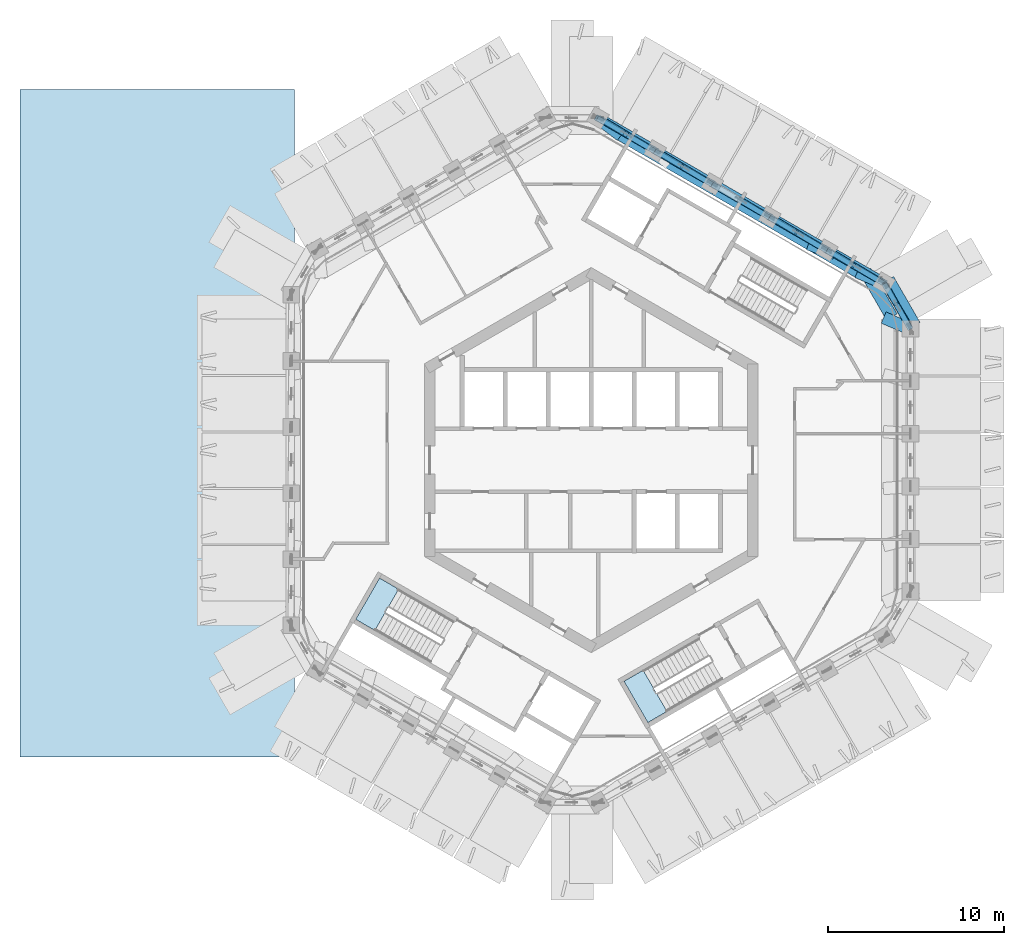
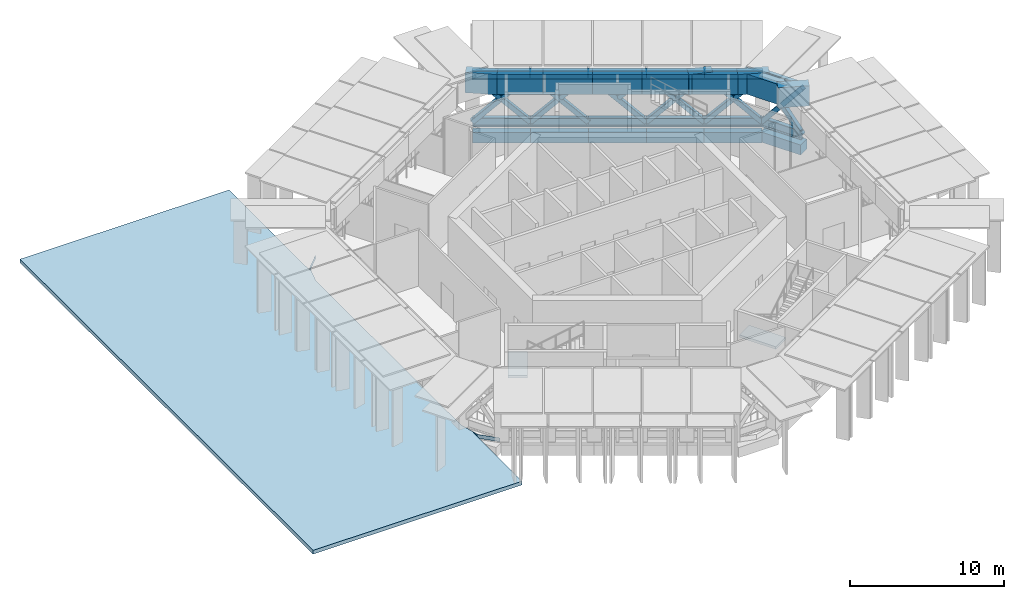
# One storey, part 5 of 15: 29 members, 16 beams, 3 slabs, 2 elements without a shape of their own.
"""IFC4 building model written with IfcOpenShell, lengths in metres."""

from ifc_helpers import new_model, si_unit, direction, frame, origin, origin_2d, place, context, subcontext, project, spatial, polyline, rectangle, hollow_rectangle, i_section, outline, extrude, material, layer, layer_set, material_profile, profile_set, type_object, element, aggregate, save


model = new_model("IFC4")

# Units and contexts
model_context = context("Model", 3, precision=1e-05, world=origin(), true_north=direction((0.0, 1.0)))
body_context = subcontext(model_context, "Body", "Model", "MODEL_VIEW")
ifc_project = project(units=[si_unit("LENGTHUNIT", "METRE"), si_unit("AREAUNIT", "SQUARE_METRE"), si_unit("VOLUMEUNIT", "CUBIC_METRE"), si_unit("PLANEANGLEUNIT", "RADIAN"), si_unit("MASSUNIT", "GRAM", prefix="KILO")], contexts=[model_context])

# Site, building, storey
site_placement = place(None, origin())
site = spatial("IfcSite", under=ifc_project, at=site_placement, CompositionType="ELEMENT")
building_placement = place(site_placement, origin())
building = spatial("IfcBuilding", under=site, at=building_placement, Name="Ayvan Gate Tower", CompositionType="ELEMENT")
storey_placement = place(building_placement, frame((0.0, 0.0, 214.10009765625)))
storey = spatial("IfcBuildingStorey", under=building, at=storey_placement, Name="L57", CompositionType="ELEMENT", Elevation=214.10009765625)

# Members
ifc_material_1 = material(Name="Steel S460NH", Category="steel")
ifc_material_profile_1 = material_profile(ifc_material_1, hollow_rectangle(XDim=0.35009765625, YDim=0.35009765625, WallThickness=0.01611328125, InnerFilletRadius=0.01611328125, OuterFilletRadius=0.02392578125, at=origin_2d()), Name="RHS 350x350x16")
ifc_profile_set_1 = profile_set([ifc_material_profile_1], Name="Steel S460NH")
member_type_1 = type_object("IfcMemberType", Name="Belt truss brace BT3 RHS 350x350x16", PredefinedType="BRACE", material=ifc_profile_set_1)
member_1_placement = place(storey_placement, frame((18.1865234375, 7.5234375, 0.349853515625), z_axis=(-0.315002971297, 0.529721793528, 0.787507428242), x_axis=(-0.85951218285, -0.511115258559, 0.0)))
element("IfcMember", 1, at=member_1_placement, inside=storey, type_object=member_type_1, Name="BT3-DA-6", PredefinedType="BRACE", context=body_context, shape_type="SweptSolid", body=[
    extrude(hollow_rectangle(XDim=0.35009765625, YDim=0.35009765625, WallThickness=0.01611328125, InnerFilletRadius=0.01611328125, OuterFilletRadius=0.02392578125, at=origin_2d()), origin(), (0.0, 0.0, 1.0), 4.761962890625),
])
for number, where, z_axis, x_axis, name in (
    (2, (16.6865234375, 10.121337890625, 0.349853515625), (0.309664629534, -0.551997266244, 0.77421368838), (0.872137899516, 0.489260139627, 0.0), "BT3-DB-6"),
    (3, (17.461181640625, 8.74072265625, 2.286376953125), (0.309664629534, -0.551997266244, 0.77421368838), (0.872137899516, 0.489260139627, 0.0), "BT3-DC-6"),
):
    element("IfcMember", number, at=place(storey_placement, frame(where, z_axis=z_axis, x_axis=x_axis)), inside=storey, type_object=member_type_1, Name=name, PredefinedType="BRACE", context=body_context, shape_type="SweptSolid", body=[
        extrude(hollow_rectangle(XDim=0.35009765625, YDim=0.35009765625, WallThickness=0.01611328125, InnerFilletRadius=0.01611328125, OuterFilletRadius=0.02392578125, at=origin_2d()), origin(), (0.0, 0.0, 1.0), 2.34228515625),
    ])
member_2_placement = place(storey_placement, frame((16.6865234375, 10.121337890625, 0.349853515625), z_axis=(-0.617139313698, 0.342040133943, 0.70862374661), x_axis=(-0.484759994098, -0.874647213522, 0.0)))
element("IfcMember", 4, at=member_2_placement, inside=storey, type_object=member_type_1, Name="BT3-DA-7", PredefinedType="BRACE", context=body_context, shape_type="SweptSolid", body=[
    extrude(hollow_rectangle(XDim=0.35009765625, YDim=0.35009765625, WallThickness=0.01611328125, InnerFilletRadius=0.01611328125, OuterFilletRadius=0.02392578125, at=origin_2d()), origin(), (0.0, 0.0, 1.0), 5.2919921875),
])
member_3_placement = place(storey_placement, frame((13.43359375, 11.99951171875, 0.349853515625), z_axis=(0.609706630256, -0.366239193936, 0.702941446955), x_axis=(0.514924944672, 0.857235266047, 0.0)))
element("IfcMember", 5, at=member_3_placement, inside=storey, type_object=member_type_1, Name="BT3-DB-7", PredefinedType="BRACE", context=body_context, shape_type="SweptSolid", body=[
    extrude(hollow_rectangle(XDim=0.35009765625, YDim=0.35009765625, WallThickness=0.01611328125, InnerFilletRadius=0.01611328125, OuterFilletRadius=0.02392578125, at=origin_2d()), origin(), (0.0, 0.0, 1.0), 2.587158203125),
])
member_4_placement = place(storey_placement, frame((15.1025390625, 10.9970703125, 2.27392578125), z_axis=(0.609777665169, -0.366167352574, 0.702917256134), x_axis=(0.514806632728, 0.857306322675, 0.0)))
element("IfcMember", 6, at=member_4_placement, inside=storey, type_object=member_type_1, Name="BT3-DC-7", PredefinedType="BRACE", context=body_context, shape_type="SweptSolid", body=[
    extrude(hollow_rectangle(XDim=0.35009765625, YDim=0.35009765625, WallThickness=0.01611328125, InnerFilletRadius=0.01611328125, OuterFilletRadius=0.02392578125, at=origin_2d()), origin(), (0.0, 0.0, 1.0), 2.59765625),
])
member_5_placement = place(storey_placement, frame((13.43359375, 11.99951171875, 0.349853515625), z_axis=(-0.618376073503, 0.342774913799, 0.707189076689), x_axis=(-0.484813362739, -0.874617632632, 0.0)))
element("IfcMember", 7, at=member_5_placement, inside=storey, type_object=member_type_1, Name="BT3-DA-8", PredefinedType="BRACE", context=body_context, shape_type="SweptSolid", body=[
    extrude(hollow_rectangle(XDim=0.35009765625, YDim=0.35009765625, WallThickness=0.01611328125, InnerFilletRadius=0.01611328125, OuterFilletRadius=0.02392578125, at=origin_2d()), origin(), (0.0, 0.0, 1.0), 5.302734375),
])
member_6_placement = place(storey_placement, frame((10.1806640625, 13.87744140625, 0.349853515625), z_axis=(0.608539128536, -0.365501745422, 0.704335575655), x_axis=(0.514887519326, 0.85725774563, 0.0)))
element("IfcMember", 8, at=member_6_placement, inside=storey, type_object=member_type_1, Name="BT3-DB-8", PredefinedType="BRACE", context=body_context, shape_type="SweptSolid", body=[
    extrude(hollow_rectangle(XDim=0.35009765625, YDim=0.35009765625, WallThickness=0.01611328125, InnerFilletRadius=0.01611328125, OuterFilletRadius=0.02392578125, at=origin_2d()), origin(), (0.0, 0.0, 1.0), 2.581787109375),
])
member_7_placement = place(storey_placement, frame((11.843017578125, 12.879150390625, 2.27392578125), z_axis=(0.608532826619, -0.365571716641, 0.704304706018), x_axis=(0.514963870274, 0.857211882975, 0.0)))
element("IfcMember", 9, at=member_7_placement, inside=storey, type_object=member_type_1, Name="BT3-DC-8", PredefinedType="BRACE", context=body_context, shape_type="SweptSolid", body=[
    extrude(hollow_rectangle(XDim=0.35009765625, YDim=0.35009765625, WallThickness=0.01611328125, InnerFilletRadius=0.01611328125, OuterFilletRadius=0.02392578125, at=origin_2d()), origin(), (0.0, 0.0, 1.0), 2.592529296875),
])
member_8_placement = place(storey_placement, frame((10.1806640625, 13.87744140625, 0.349853515625), z_axis=(-0.619576984362, 0.343515094563, 0.70577740135), x_axis=(-0.484893802817, -0.874573038682, 0.0)))
element("IfcMember", 10, at=member_8_placement, inside=storey, type_object=member_type_1, Name="BT3-DA-9", PredefinedType="BRACE", context=body_context, shape_type="SweptSolid", body=[
    extrude(hollow_rectangle(XDim=0.35009765625, YDim=0.35009765625, WallThickness=0.01611328125, InnerFilletRadius=0.01611328125, OuterFilletRadius=0.02392578125, at=origin_2d()), origin(), (0.0, 0.0, 1.0), 5.313232421875),
])
member_9_placement = place(storey_placement, frame((8.58349609375, 14.760986328125, 2.274169921875), z_axis=(0.607303428929, -0.364853932593, 0.70573660319), x_axis=(0.514985409932, 0.857198942812, 0.0)))
element("IfcMember", 11, at=member_9_placement, inside=storey, type_object=member_type_1, Name="BT3-DC-9", PredefinedType="BRACE", context=body_context, shape_type="SweptSolid", body=[
    extrude(hollow_rectangle(XDim=0.35009765625, YDim=0.35009765625, WallThickness=0.01611328125, InnerFilletRadius=0.01611328125, OuterFilletRadius=0.02392578125, at=origin_2d()), origin(), (0.0, 0.0, 1.0), 2.5869140625),
])
member_10_placement = place(storey_placement, frame((6.927978515625, 15.755615234375, 0.349853515625), z_axis=(-0.620827019645, 0.344231363947, 0.704328460134), x_axis=(-0.484918806939, -0.874559175057, 0.0)))
element("IfcMember", 12, at=member_10_placement, inside=storey, type_object=member_type_1, Name="BT3-DA-10", PredefinedType="BRACE", context=body_context, shape_type="SweptSolid", body=[
    extrude(hollow_rectangle(XDim=0.35009765625, YDim=0.35009765625, WallThickness=0.01611328125, InnerFilletRadius=0.01611328125, OuterFilletRadius=0.02392578125, at=origin_2d()), origin(), (0.0, 0.0, 1.0), 5.32421875),
])
member_11_placement = place(storey_placement, frame((3.675048828125, 17.633544921875, 0.349853515625), z_axis=(0.60601971167, -0.364067623714, 0.707244564794), x_axis=(0.514969735291, 0.85720835958, 0.0)))
element("IfcMember", 13, at=member_11_placement, inside=storey, type_object=member_type_1, Name="BT3-DB-10", PredefinedType="BRACE", context=body_context, shape_type="SweptSolid", body=[
    extrude(hollow_rectangle(XDim=0.35009765625, YDim=0.35009765625, WallThickness=0.01611328125, InnerFilletRadius=0.01611328125, OuterFilletRadius=0.02392578125, at=origin_2d()), origin(), (0.0, 0.0, 1.0), 2.571044921875),
])
member_12_placement = place(storey_placement, frame((5.323974609375, 16.642822265625, 2.274169921875), z_axis=(0.606064634283, -0.364168342428, 0.707154210512), x_axis=(0.515046358001, 0.857162323664, 0.0)))
element("IfcMember", 14, at=member_12_placement, inside=storey, type_object=member_type_1, Name="BT3-DC-10", PredefinedType="BRACE", context=body_context, shape_type="SweptSolid", body=[
    extrude(hollow_rectangle(XDim=0.35009765625, YDim=0.35009765625, WallThickness=0.01611328125, InnerFilletRadius=0.01611328125, OuterFilletRadius=0.02392578125, at=origin_2d()), origin(), (0.0, 0.0, 1.0), 2.581787109375),
])
member_13_placement = place(storey_placement, frame((3.675048828125, 17.633544921875, 0.349853515625), z_axis=(-0.622013241653, 0.344962905796, 0.702922556782), x_axis=(-0.48499818084, -0.874515159721, 0.0)))
element("IfcMember", 15, at=member_13_placement, inside=storey, type_object=member_type_1, Name="BT3-DA-11", PredefinedType="BRACE", context=body_context, shape_type="SweptSolid", body=[
    extrude(hollow_rectangle(XDim=0.35009765625, YDim=0.35009765625, WallThickness=0.01611328125, InnerFilletRadius=0.01611328125, OuterFilletRadius=0.02392578125, at=origin_2d()), origin(), (0.0, 0.0, 1.0), 5.3349609375),
])
member_14_placement = place(storey_placement, frame((0.422119140625, 19.51171875, 0.349853515625), z_axis=(0.604787912466, -0.363481722092, 0.708599053513), x_axis=(0.515130206723, 0.857111935584, 0.0)))
element("IfcMember", 16, at=member_14_placement, inside=storey, type_object=member_type_1, Name="BT3-DB-11", PredefinedType="BRACE", context=body_context, shape_type="SweptSolid", body=[
    extrude(hollow_rectangle(XDim=0.35009765625, YDim=0.35009765625, WallThickness=0.01611328125, InnerFilletRadius=0.01611328125, OuterFilletRadius=0.02392578125, at=origin_2d()), origin(), (0.0, 0.0, 1.0), 2.565673828125),
])
member_15_placement = place(storey_placement, frame((2.064453125, 18.524658203125, 2.274169921875), z_axis=(0.604779141707, -0.363417111947, 0.708639677481), x_axis=(0.515068421697, 0.857149065782, 0.0)))
element("IfcMember", 17, at=member_15_placement, inside=storey, type_object=member_type_1, Name="BT3-DC-11", PredefinedType="BRACE", context=body_context, shape_type="SweptSolid", body=[
    extrude(hollow_rectangle(XDim=0.35009765625, YDim=0.35009765625, WallThickness=0.01611328125, InnerFilletRadius=0.01611328125, OuterFilletRadius=0.02392578125, at=origin_2d()), origin(), (0.0, 0.0, 1.0), 2.576416015625),
])
ifc_material_2 = material(Name="Steel S460ML", Category="steel")
ifc_material_profile_2 = material_profile(ifc_material_2, i_section(OverallWidth=0.300048828125, OverallDepth=0.699951171875, WebThickness=0.01708984375, FlangeThickness=0.031982421875, FilletRadius=0.027099609375, at=origin_2d()), Name="HE 700 B")
ifc_profile_set_2 = profile_set([ifc_material_profile_2], Name="Steel S460ML")
member_type_2 = type_object("IfcMemberType", Name="Belt truss chord BT3 HE 700 B", PredefinedType="CHORD", material=ifc_profile_set_2)
member_16_placement = place(storey_placement, frame((18.1865234375, 7.5234375, 0.349853515625), z_axis=(-0.50002537861, 0.866010750942, 0.0), x_axis=(-0.866010750942, -0.50002537861, 0.0)))
element("IfcMember", 18, at=member_16_placement, inside=storey, type_object=member_type_2, Name="BT3-BC-6", PredefinedType="CHORD", context=body_context, shape_type="SweptSolid", body=[
    extrude(i_section(OverallWidth=0.300048828125, OverallDepth=0.699951171875, WebThickness=0.01708984375, FlangeThickness=0.031982421875, FilletRadius=0.027099609375, at=origin_2d()), origin(), (0.0, 0.0, 1.0), 2.999755859375),
])
member_17_placement = place(storey_placement, frame((18.1865234375, 7.44775390625, 4.099853515625), z_axis=(-0.499990139034, 0.866031096941, 0.0), x_axis=(-0.866031096941, -0.499990139034, 0.0)))
element("IfcMember", 19, at=member_17_placement, inside=storey, type_object=member_type_2, Name="BT3-TC-6", PredefinedType="CHORD", context=body_context, shape_type="SweptSolid", body=[
    extrude(i_section(OverallWidth=0.300048828125, OverallDepth=0.699951171875, WebThickness=0.01708984375, FlangeThickness=0.031982421875, FilletRadius=0.027099609375, at=origin_2d()), origin(), (0.0, 0.0, 1.0), 3.0),
])
member_18_placement = place(storey_placement, frame((16.6865234375, 10.121337890625, 0.349853515625), z_axis=(-0.866014567632, 0.500018768297, 0.0), x_axis=(-0.500018768297, -0.866014567632, 0.0)))
element("IfcMember", 20, at=member_18_placement, inside=storey, type_object=member_type_2, Name="BT3-BC-7", PredefinedType="CHORD", context=body_context, shape_type="SweptSolid", body=[
    extrude(i_section(OverallWidth=0.300048828125, OverallDepth=0.699951171875, WebThickness=0.01708984375, FlangeThickness=0.031982421875, FilletRadius=0.027099609375, at=origin_2d()), origin(), (0.0, 0.0, 1.0), 3.756103515625),
])
member_19_placement = place(storey_placement, frame((16.6865234375, 10.0458984375, 4.099853515625), z_axis=(-0.866031418311, 0.499989582389, 0.0), x_axis=(-0.499989582389, -0.866031418311, 0.0)))
element("IfcMember", 21, at=member_19_placement, inside=storey, type_object=member_type_2, Name="BT3-TC-7", PredefinedType="CHORD", context=body_context, shape_type="SweptSolid", body=[
    extrude(i_section(OverallWidth=0.300048828125, OverallDepth=0.699951171875, WebThickness=0.01708984375, FlangeThickness=0.031982421875, FilletRadius=0.027099609375, at=origin_2d()), origin(), (0.0, 0.0, 1.0), 3.77099609375),
])
member_20_placement = place(storey_placement, frame((13.43359375, 11.99951171875, 0.349853515625), z_axis=(-0.866042712228, 0.499970019698, 0.0), x_axis=(-0.499970019698, -0.866042712228, 0.0)))
element("IfcMember", 22, at=member_20_placement, inside=storey, type_object=member_type_2, Name="BT3-BC-8", PredefinedType="CHORD", context=body_context, shape_type="SweptSolid", body=[
    extrude(i_section(OverallWidth=0.300048828125, OverallDepth=0.699951171875, WebThickness=0.01708984375, FlangeThickness=0.031982421875, FilletRadius=0.027099609375, at=origin_2d()), origin(), (0.0, 0.0, 1.0), 3.756103515625),
])
member_21_placement = place(storey_placement, frame((13.420654296875, 11.931396484375, 4.099853515625), z_axis=(-0.866019570528, 0.500010103361, 0.0), x_axis=(-0.500010103361, -0.866019570528, 0.0)))
element("IfcMember", 23, at=member_21_placement, inside=storey, type_object=member_type_2, Name="BT3-TC-8", PredefinedType="CHORD", context=body_context, shape_type="SweptSolid", body=[
    extrude(i_section(OverallWidth=0.300048828125, OverallDepth=0.699951171875, WebThickness=0.01708984375, FlangeThickness=0.031982421875, FilletRadius=0.027099609375, at=origin_2d()), origin(), (0.0, 0.0, 1.0), 3.771484375),
])
member_22_placement = place(storey_placement, frame((10.1806640625, 13.87744140625, 0.349853515625), z_axis=(-0.865998315892, 0.500046914671, 0.0), x_axis=(-0.500046914671, -0.865998315892, 0.0)))
element("IfcMember", 24, at=member_22_placement, inside=storey, type_object=member_type_2, Name="BT3-BC-9", PredefinedType="CHORD", context=body_context, shape_type="SweptSolid", body=[
    extrude(i_section(OverallWidth=0.300048828125, OverallDepth=0.699951171875, WebThickness=0.01708984375, FlangeThickness=0.031982421875, FilletRadius=0.027099609375, at=origin_2d()), origin(), (0.0, 0.0, 1.0), 3.756103515625),
])
member_23_placement = place(storey_placement, frame((10.154541015625, 13.817138671875, 4.099853515625), z_axis=(-0.866031418311, 0.499989582389, 0.0), x_axis=(-0.499989582389, -0.866031418311, 0.0)))
element("IfcMember", 25, at=member_23_placement, inside=storey, type_object=member_type_2, Name="BT3-TC-9", PredefinedType="CHORD", context=body_context, shape_type="SweptSolid", body=[
    extrude(i_section(OverallWidth=0.300048828125, OverallDepth=0.699951171875, WebThickness=0.01708984375, FlangeThickness=0.031982421875, FilletRadius=0.027099609375, at=origin_2d()), origin(), (0.0, 0.0, 1.0), 3.77099609375),
])
member_24_placement = place(storey_placement, frame((6.927978515625, 15.755615234375, 0.349853515625), z_axis=(-0.866042712228, 0.499970019698, 0.0), x_axis=(-0.499970019698, -0.866042712228, 0.0)))
element("IfcMember", 26, at=member_24_placement, inside=storey, type_object=member_type_2, Name="BT3-BC-10", PredefinedType="CHORD", context=body_context, shape_type="SweptSolid", body=[
    extrude(i_section(OverallWidth=0.300048828125, OverallDepth=0.699951171875, WebThickness=0.01708984375, FlangeThickness=0.031982421875, FilletRadius=0.027099609375, at=origin_2d()), origin(), (0.0, 0.0, 1.0), 3.756103515625),
])
member_25_placement = place(storey_placement, frame((6.888671875, 15.70263671875, 4.099853515625), z_axis=(-0.866019570528, 0.500010103361, 0.0), x_axis=(-0.500010103361, -0.866019570528, 0.0)))
element("IfcMember", 27, at=member_25_placement, inside=storey, type_object=member_type_2, Name="BT3-TC-10", PredefinedType="CHORD", context=body_context, shape_type="SweptSolid", body=[
    extrude(i_section(OverallWidth=0.300048828125, OverallDepth=0.699951171875, WebThickness=0.01708984375, FlangeThickness=0.031982421875, FilletRadius=0.027099609375, at=origin_2d()), origin(), (0.0, 0.0, 1.0), 3.771484375),
])
member_26_placement = place(storey_placement, frame((3.675048828125, 17.633544921875, 0.349853515625), z_axis=(-0.866014567632, 0.500018768297, 0.0), x_axis=(-0.500018768297, -0.866014567632, 0.0)))
element("IfcMember", 28, at=member_26_placement, inside=storey, type_object=member_type_2, Name="BT3-BC-11", PredefinedType="CHORD", context=body_context, shape_type="SweptSolid", body=[
    extrude(i_section(OverallWidth=0.300048828125, OverallDepth=0.699951171875, WebThickness=0.01708984375, FlangeThickness=0.031982421875, FilletRadius=0.027099609375, at=origin_2d()), origin(), (0.0, 0.0, 1.0), 3.756103515625),
])
member_27_placement = place(storey_placement, frame((3.62255859375, 17.58837890625, 4.099853515625), z_axis=(-0.866031418311, 0.499989582389, 0.0), x_axis=(-0.499989582389, -0.866031418311, 0.0)))
element("IfcMember", 29, at=member_27_placement, inside=storey, type_object=member_type_2, Name="BT3-TC-11", PredefinedType="CHORD", context=body_context, shape_type="SweptSolid", body=[
    extrude(i_section(OverallWidth=0.300048828125, OverallDepth=0.699951171875, WebThickness=0.01708984375, FlangeThickness=0.031982421875, FilletRadius=0.027099609375, at=origin_2d()), origin(), (0.0, 0.0, 1.0), 3.77099609375),
])

# Beams
ifc_material_3 = material(Name="Concrete C40/50", Category="concrete")
ifc_material_profile_3 = material_profile(ifc_material_3, rectangle(XDim=0.800048828125, YDim=0.800048828125, at=origin_2d()), Name="RC 800x800")
ifc_profile_set_3 = profile_set([ifc_material_profile_3], Name="Concrete C40/50")
beam_type_1 = type_object("IfcBeamType", Name="Corner spandrel beam RC 800x800 C40/50", PredefinedType="BEAM", material=ifc_profile_set_3)
beam_1_placement = place(storey_placement, frame((18.376953125, 7.656494140625, -0.800048828125), z_axis=(-0.499990139034, 0.866031096941, 0.0), x_axis=(-0.866031096941, -0.499990139034, 0.0)))
element("IfcBeam", 30, at=beam_1_placement, inside=storey, type_object=beam_type_1, Name="SB-L57-6", PredefinedType="BEAM", context=body_context, shape_type="SweptSolid", body=[
    extrude(rectangle(XDim=0.800048828125, YDim=0.800048828125, at=origin_2d()), origin(), (0.0, 0.0, 1.0), 3.0),
])
ifc_material_profile_4 = material_profile(ifc_material_3, rectangle(XDim=0.5, YDim=0.800048828125, at=origin_2d()), Name="RC 500x800")
ifc_profile_set_4 = profile_set([ifc_material_profile_4], Name="Concrete C40/50")
beam_type_2 = type_object("IfcBeamType", Name="Spandrel beam RC 500x800 C40/50", PredefinedType="BEAM", material=ifc_profile_set_4)
beam_2_placement = place(storey_placement, frame((16.6865234375, 10.14453125, -0.800048828125), z_axis=(-0.86601976854, 0.500009760403, 0.0), x_axis=(-0.500009760403, -0.86601976854, 0.0)))
element("IfcBeam", 31, at=beam_2_placement, inside=storey, type_object=beam_type_2, Name="SB-L57-7", PredefinedType="BEAM", context=body_context, shape_type="SweptSolid", body=[
    extrude(rectangle(XDim=0.5, YDim=0.800048828125, at=origin_2d()), origin(), (0.0, 0.0, 1.0), 3.75146484375),
])
beam_3_placement = place(storey_placement, frame((13.437744140625, 12.020263671875, -0.800048828125), z_axis=(-0.866036037803, 0.499981580887, 0.0), x_axis=(-0.499981580887, -0.866036037803, 0.0)))
element("IfcBeam", 32, at=beam_3_placement, inside=storey, type_object=beam_type_2, Name="SB-L57-8", PredefinedType="BEAM", context=body_context, shape_type="SweptSolid", body=[
    extrude(rectangle(XDim=0.5, YDim=0.800048828125, at=origin_2d()), origin(), (0.0, 0.0, 1.0), 3.751708984375),
])
for number, where, z_axis, x_axis, name in (
    (33, (10.188720703125, 13.89599609375, -0.800048828125), (-0.86601976854, 0.500009760403, 0.0), (-0.500009760403, -0.86601976854, 0.0), "SB-L57-9"),
    (34, (6.93994140625, 15.771728515625, -0.800048828125), (-0.86601976854, 0.500009760403, 0.0), (-0.500009760403, -0.86601976854, 0.0), "SB-L57-10"),
):
    element("IfcBeam", number, at=place(storey_placement, frame(where, z_axis=z_axis, x_axis=x_axis)), inside=storey, type_object=beam_type_2, Name=name, PredefinedType="BEAM", context=body_context, shape_type="SweptSolid", body=[
        extrude(rectangle(XDim=0.5, YDim=0.800048828125, at=origin_2d()), origin(), (0.0, 0.0, 1.0), 3.75146484375),
    ])
beam_4_placement = place(storey_placement, frame((3.691162109375, 17.6474609375, -0.800048828125), z_axis=(-0.866036037803, 0.499981580887, 0.0), x_axis=(-0.499981580887, -0.866036037803, 0.0)))
element("IfcBeam", 35, at=beam_4_placement, inside=storey, type_object=beam_type_2, Name="SB-L57-11", PredefinedType="BEAM", context=body_context, shape_type="SweptSolid", body=[
    extrude(rectangle(XDim=0.5, YDim=0.800048828125, at=origin_2d()), origin(), (0.0, 0.0, 1.0), 3.751708984375),
])
ifc_material_profile_5 = material_profile(ifc_material_2, hollow_rectangle(XDim=0.699951171875, YDim=1.60009765625, WallThickness=0.044921875, at=origin_2d()), Name="BOX 700x1600x45")
ifc_profile_set_5 = profile_set([ifc_material_profile_5], Name="Steel S460ML")
beam_type_3 = type_object("IfcBeamType", Name="Transfer ring girder BOX 700x1600x45", PredefinedType="BEAM", material=ifc_profile_set_5)
beam_5_placement = place(storey_placement, frame((17.121337890625, 8.15283203125, 3.64990234375), z_axis=(-0.499990139034, 0.866031096941, 0.0), x_axis=(-0.866031096941, -0.499990139034, 0.0)))
element("IfcBeam", 36, at=beam_5_placement, inside=storey, type_object=beam_type_3, Name="TR-L57-6", PredefinedType="BEAM", context=body_context, shape_type="SweptSolid", body=[
    extrude(hollow_rectangle(XDim=0.699951171875, YDim=1.60009765625, WallThickness=0.044921875, at=origin_2d()), origin(), (0.0, 0.0, 1.0), 3.0),
])
beam_6_placement = place(storey_placement, frame((15.387451171875, 10.615966796875, 3.64990234375), z_axis=(-0.865990351068, 0.500060708172, 0.0), x_axis=(-0.500060708172, -0.865990351068, 0.0)))
element("IfcBeam", 37, at=beam_6_placement, inside=storey, type_object=beam_type_3, Name="TR-L57-7", PredefinedType="BEAM", context=body_context, shape_type="SweptSolid", body=[
    extrude(hollow_rectangle(XDim=0.699951171875, YDim=1.60009765625, WallThickness=0.044921875, at=origin_2d()), origin(), (0.0, 0.0, 1.0), 3.20703125),
])
for number, where, z_axis, x_axis, name in (
    (38, (12.610107421875, 12.2197265625, 3.64990234375), (-0.866042346109, 0.499970653885, 0.0), (-0.499970653885, -0.866042346109, 0.0), "TR-L57-8"),
    (39, (9.83251953125, 13.8232421875, 3.64990234375), (-0.866042346109, 0.499970653885, 0.0), (-0.499970653885, -0.866042346109, 0.0), "TR-L57-9"),
):
    element("IfcBeam", number, at=place(storey_placement, frame(where, z_axis=z_axis, x_axis=x_axis)), inside=storey, type_object=beam_type_3, Name=name, PredefinedType="BEAM", context=body_context, shape_type="SweptSolid", body=[
        extrude(hollow_rectangle(XDim=0.699951171875, YDim=1.60009765625, WallThickness=0.044921875, at=origin_2d()), origin(), (0.0, 0.0, 1.0), 3.207275390625),
    ])
beam_7_placement = place(storey_placement, frame((7.054931640625, 15.4267578125, 3.64990234375), z_axis=(-0.866023315909, 0.500003616288, 0.0), x_axis=(-0.500003616288, -0.866023315909, 0.0)))
element("IfcBeam", 40, at=beam_7_placement, inside=storey, type_object=beam_type_3, Name="TR-L57-10", PredefinedType="BEAM", context=body_context, shape_type="SweptSolid", body=[
    extrude(hollow_rectangle(XDim=0.699951171875, YDim=1.60009765625, WallThickness=0.044921875, at=origin_2d()), origin(), (0.0, 0.0, 1.0), 3.20703125),
])
beam_8_placement = place(storey_placement, frame((4.277587890625, 17.0302734375, 3.64990234375), z_axis=(-0.866009384889, 0.500027744514, 0.0), x_axis=(-0.500027744514, -0.866009384889, 0.0)))
element("IfcBeam", 41, at=beam_8_placement, inside=storey, type_object=beam_type_3, Name="TR-L57-11", PredefinedType="BEAM", context=body_context, shape_type="SweptSolid", body=[
    extrude(hollow_rectangle(XDim=0.699951171875, YDim=1.60009765625, WallThickness=0.044921875, at=origin_2d()), origin(), (0.0, 0.0, 1.0), 3.207275390625),
])
for number, where, z_axis, x_axis, name in (
    (42, (18.5537109375, 7.29833984375, 3.64990234375), (-0.918022254026, 0.396528865422, 0.0), (-0.396528865422, -0.918022254026, 0.0), "TS-L57-T0-5"),
    (43, (17.0537109375, 9.896240234375, 3.64990234375), (-0.918022254026, 0.396528865422, 0.0), (-0.396528865422, -0.918022254026, 0.0), "TS-L57-T1-0"),
):
    element("IfcBeam", number, at=place(storey_placement, frame(where, z_axis=z_axis, x_axis=x_axis)), inside=storey, type_object=beam_type_3, Name=name, PredefinedType="BEAM", context=body_context, shape_type="SweptSolid", body=[
        extrude(hollow_rectangle(XDim=0.699951171875, YDim=1.60009765625, WallThickness=0.044921875, at=origin_2d()), origin(), (0.0, 0.0, 1.0), 2.06494140625),
    ])
beam_9_placement = place(storey_placement, frame((13.8857421875, 11.77978515625, 3.64990234375), z_axis=(-0.945413525259, 0.325873083052, 0.0), x_axis=(-0.325873083052, -0.945413525259, 0.0)))
element("IfcBeam", 44, at=beam_9_placement, inside=storey, type_object=beam_type_3, Name="TS-L57-T1-1", PredefinedType="BEAM", context=body_context, shape_type="SweptSolid", body=[
    extrude(hollow_rectangle(XDim=0.699951171875, YDim=1.60009765625, WallThickness=0.044921875, at=origin_2d()), origin(), (0.0, 0.0, 1.0), 1.599609375),
])
beam_10_placement = place(storey_placement, frame((0.043701171875, 19.717041015625, 3.64990234375), z_axis=(0.802447824371, -0.596722288139, 0.0), x_axis=(0.596722288139, 0.802447824371, 0.0)))
element("IfcBeam", 45, at=beam_10_placement, inside=storey, type_object=beam_type_3, Name="TS-L57-T1-5", PredefinedType="BEAM", context=body_context, shape_type="SweptSolid", body=[
    extrude(hollow_rectangle(XDim=0.699951171875, YDim=1.60009765625, WallThickness=0.044921875, at=origin_2d()), origin(), (0.0, 0.0, 1.0), 2.06494140625),
])

# Slab
ifc_layer_1 = layer(ifc_material_3, 0.300048828125)
ifc_layer_set_1 = layer_set([ifc_layer_1], Name="Concrete C40/50")
slab_type_1 = type_object("IfcSlabType", Name="Roof slab 300", PredefinedType="ROOF", material=ifc_layer_set_1)
slab_1_placement = place(storey_placement, frame((0.0, 0.0, -0.300048828125)))
element("IfcSlab", 46, at=slab_1_placement, inside=storey, type_object=slab_type_1, Name="RF-B5", PredefinedType="ROOF", context=body_context, shape_type="SweptSolid", body=[
    extrude(outline(polyline([(-15.6845703125, -11.944580078125), (-16.78271484375, -10.846435546875), (-16.884521484375, -10.466064453125), (-16.884521484375, -16.89990234375), (-32.524169921875, -16.89990234375), (-32.524169921875, 21.10009765625), (-16.884521484375, 21.10009765625), (-16.884521484375, 10.466064453125), (-16.78271484375, 10.846435546875), (-15.6845703125, 11.944580078125), (-15.681640625, 11.946044921875), (-16.72705078125, 10.90087890625), (-16.728515625, 10.8994140625), (-16.729736328125, 10.897705078125), (-16.730712890625, 10.895751953125), (-16.7314453125, 10.893798828125), (-16.732177734375, 10.891845703125), (-17.134033203125, 9.391845703125), (-17.134521484375, 9.39013671875), (-17.134765625, 9.388427734375), (-17.134765625, 9.38671875), (-17.134765625, -9.38671875), (-17.134765625, -9.388427734375), (-17.134521484375, -9.39013671875), (-17.134033203125, -9.391845703125), (-16.732177734375, -10.891845703125), (-16.7314453125, -10.893798828125), (-16.730712890625, -10.895751953125), (-16.729736328125, -10.897705078125), (-16.728515625, -10.8994140625), (-16.72705078125, -10.90087890625), (-15.681640625, -11.946044921875), (-15.6845703125, -11.944580078125)])), origin(), (0.0, 0.0, 1.0), 0.300048828125),
])

# Stair, slab
stair_type = type_object("IfcStairType", Name="ST-EXIT", PredefinedType="HALF_TURN_STAIR", material=ifc_material_3)
stair_1_placement = place(storey_placement, origin())
stair_1 = element("IfcStair", 47, at=stair_1_placement, inside=storey, type_object=stair_type, Name="L57 Exit Stair S2", PredefinedType="HALF_TURN_STAIR")
ifc_layer_2 = layer(ifc_material_3, 0.199951171875)
ifc_layer_set_2 = layer_set([ifc_layer_2], Name="Concrete C40/50")
slab_type_2 = type_object("IfcSlabType", Name="SL-LANDING-200", PredefinedType="LANDING", material=ifc_layer_set_2)
slab_2_placement = place(storey_placement, frame((0.0, 0.0, 2.199951171875)))
slab_2 = element("IfcSlab", 48, at=slab_2_placement, type_object=slab_type_2, Name="STS2 landing 1", PredefinedType="LANDING", context=body_context, shape_type="SweptSolid", body=[
    extrude(outline(polyline([(-10.95849609375, -7.3505859375), (-12.049560546875, -6.720458984375), (-13.404541015625, -9.0673828125), (-12.3134765625, -9.697509765625), (-10.95849609375, -7.3505859375)])), origin(), (0.0, 0.0, 1.0), 0.199951171875),
])
aggregate(stair_1, [slab_2])

stair_2_placement = place(storey_placement, origin())
stair_2 = element("IfcStair", 49, at=stair_2_placement, inside=storey, type_object=stair_type, Name="L57 Exit Stair S3", PredefinedType="HALF_TURN_STAIR")
slab_3_placement = place(storey_placement, frame((0.0, 0.0, 2.199951171875)))
slab_3 = element("IfcSlab", 50, at=slab_3_placement, type_object=slab_type_2, Name="STS3 landing 1", PredefinedType="LANDING", context=body_context, shape_type="SweptSolid", body=[
    extrude(outline(polyline([(2.965087890625, -11.965576171875), (1.873779296875, -12.595458984375), (3.228759765625, -14.9423828125), (4.320068359375, -14.3125), (2.965087890625, -11.965576171875)])), origin(), (0.0, 0.0, 1.0), 0.199951171875),
])
aggregate(stair_2, [slab_3])

save(model, "model.ifc")
